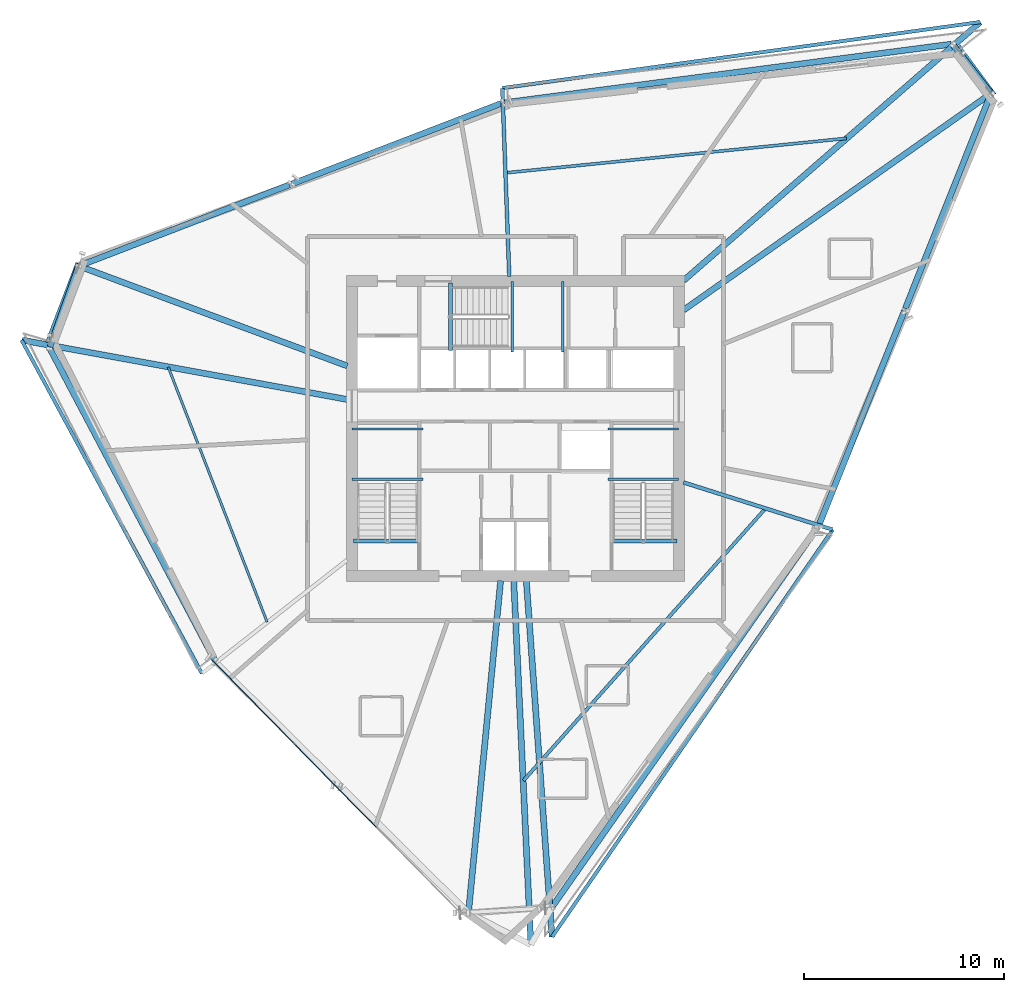
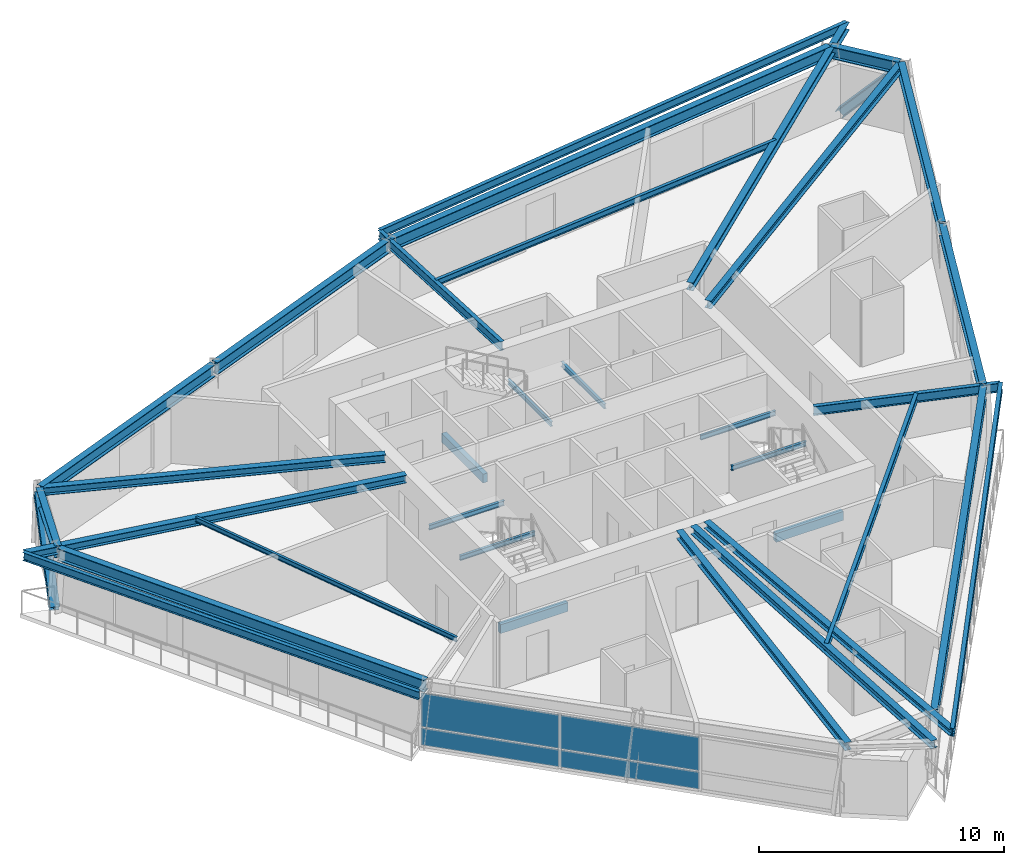
# One storey, part 4 of 14: 33 beams, 4 plates, 2 members, 1 element without a shape of its own.
"""IFC4 building model written with IfcOpenShell, lengths in metres."""

from ifc_helpers import new_model, si_unit, direction, frame, origin, origin_2d, place, context, subcontext, project, spatial, rectangle, i_section, extrude, source, transform, mapped, material, material_profile, profile_set, type_object, element, aggregate, save


model = new_model("IFC4")

# Units and contexts
model_context = context("Model", 3, precision=1e-05, world=origin(), true_north=direction((0.0, 1.0)))
body_context = subcontext(model_context, "Body", "Model", "MODEL_VIEW")
ifc_project = project(units=[si_unit("LENGTHUNIT", "METRE"), si_unit("AREAUNIT", "SQUARE_METRE"), si_unit("VOLUMEUNIT", "CUBIC_METRE"), si_unit("PLANEANGLEUNIT", "RADIAN"), si_unit("MASSUNIT", "GRAM", prefix="KILO")], contexts=[model_context])

# Site, building, storey
site_placement = place(None, origin())
site = spatial("IfcSite", under=ifc_project, at=site_placement, CompositionType="ELEMENT")
building_placement = place(site_placement, origin())
building = spatial("IfcBuilding", under=site, at=building_placement, Name="Olszyna Solenne Hotel", CompositionType="ELEMENT")
storey_placement = place(building_placement, frame((0.0, 0.0, 185.64990234375)))
storey = spatial("IfcBuildingStorey", under=building, at=storey_placement, Name="L49", CompositionType="ELEMENT", Elevation=185.64990234375)

# Beams
ifc_material_1 = material(Name="Steel S355J2", Category="steel")
ifc_material_profile_1 = material_profile(ifc_material_1, i_section(OverallWidth=0.300048828125, OverallDepth=0.60009765625, WebThickness=0.015380859375, FlangeThickness=0.030029296875, at=origin_2d()), Name="HEB 600", Category="load-bearing")
ifc_profile_set_1 = profile_set([ifc_material_profile_1], Name="Steel S355J2")
beam_type_1 = type_object("IfcBeamType", Name="BM-S2", PredefinedType="BEAM", material=ifc_profile_set_1)
shared_shape_1 = source(origin(), body_context, "Body", "SweptSolid", [
    extrude(i_section(OverallWidth=0.300048828125, OverallDepth=0.60009765625, WebThickness=0.015380859375, FlangeThickness=0.030029296875, at=origin_2d()), origin(), (0.0, 0.0, 1.0), 3.017578125),
])
beam_1_placement = place(storey_placement, frame((61.735107421875, 43.39306640625, 3.030029296875), z_axis=(-0.614987530307, 0.788536833361, 0.0), x_axis=(-0.788536833361, -0.614987530307, 0.0)))
element("IfcBeam", 1, at=beam_1_placement, inside=storey, type_object=beam_type_1, Name="Perimeter spandrel beam BM-S2 B-L49-1452", PredefinedType="BEAM", context=body_context, shape_type="MappedRepresentation", body=[
    mapped(shared_shape_1, transform((0.0, 0.0, 0.0), x_axis=(1.0, 0.0, 0.0), y_axis=(0.0, 1.0, 0.0), z_axis=(0.0, 0.0, 1.0), scale=1.0)),
])
shared_shape_2 = source(origin(), body_context, "Body", "SweptSolid", [
    extrude(i_section(OverallWidth=0.300048828125, OverallDepth=0.60009765625, WebThickness=0.015380859375, FlangeThickness=0.030029296875, at=origin_2d()), origin(), (0.0, 0.0, 1.0), 22.565185546875),
])
beam_2_placement = place(storey_placement, frame((59.782958984375, 45.81201171875, 3.030029296875), z_axis=(-0.991527495238, -0.129896982976, 0.0), x_axis=(0.129896982976, -0.991527495238, 0.0)))
element("IfcBeam", 2, at=beam_2_placement, inside=storey, type_object=beam_type_1, Name="Perimeter spandrel beam BM-S2 B-L49-1453", PredefinedType="BEAM", context=body_context, shape_type="MappedRepresentation", body=[
    mapped(shared_shape_2, transform((0.0, 0.0, 0.0), x_axis=(1.0, 0.0, 0.0), y_axis=(0.0, 1.0, 0.0), z_axis=(0.0, 0.0, 1.0), scale=1.0)),
])
shared_shape_3 = source(origin(), body_context, "Body", "SweptSolid", [
    extrude(i_section(OverallWidth=0.300048828125, OverallDepth=0.60009765625, WebThickness=0.015380859375, FlangeThickness=0.030029296875, at=origin_2d()), origin(), (0.0, 0.0, 1.0), 11.222900390625),
])
for number, where, z_axis, x_axis, name in (
    (3, (37.29345703125, 42.8515625, 3.030029296875), (-0.933310279528, -0.359070915178, 0.0), (0.359070915178, -0.933310279528, 0.0), "Perimeter spandrel beam BM-S2 B-L49-1454"),
    (4, (26.707275390625, 38.77880859375, 3.030029296875), (-0.933302989105, -0.359089864139, 0.0), (0.359089864139, -0.933302989105, 0.0), "Perimeter spandrel beam BM-S2 B-L49-1455"),
):
    element("IfcBeam", number, at=place(storey_placement, frame(where, z_axis=z_axis, x_axis=x_axis)), inside=storey, type_object=beam_type_1, Name=name, PredefinedType="BEAM", context=body_context, shape_type="MappedRepresentation", body=[
        mapped(shared_shape_3, transform((0.0, 0.0, 0.0), x_axis=(1.0, 0.0, 0.0), y_axis=(0.0, 1.0, 0.0), z_axis=(0.0, 0.0, 1.0), scale=1.0)),
    ])
shared_shape_4 = source(origin(), body_context, "Body", "SweptSolid", [
    extrude(i_section(OverallWidth=0.300048828125, OverallDepth=0.60009765625, WebThickness=0.015380859375, FlangeThickness=0.030029296875, at=origin_2d()), origin(), (0.0, 0.0, 1.0), 4.228759765625),
])
beam_3_placement = place(storey_placement, frame((16.156982421875, 34.6708984375, 3.030029296875), z_axis=(-0.335440177109, -0.942061509447, 0.0), x_axis=(0.942061509447, -0.335440177109, 0.0)))
element("IfcBeam", 5, at=beam_3_placement, inside=storey, type_object=beam_type_1, Name="Perimeter spandrel beam BM-S2 B-L49-1456", PredefinedType="BEAM", context=body_context, shape_type="MappedRepresentation", body=[
    mapped(shared_shape_4, transform((0.0, 0.0, 0.0), x_axis=(1.0, 0.0, 0.0), y_axis=(0.0, 1.0, 0.0), z_axis=(0.0, 0.0, 1.0), scale=1.0)),
])
shared_shape_5 = source(origin(), body_context, "Body", "SweptSolid", [
    extrude(i_section(OverallWidth=0.300048828125, OverallDepth=0.60009765625, WebThickness=0.015380859375, FlangeThickness=0.030029296875, at=origin_2d()), origin(), (0.0, 0.0, 1.0), 17.66162109375),
])
beam_4_placement = place(storey_placement, frame((14.74658203125, 30.57763671875, 3.030029296875), z_axis=(0.4675548851, -0.883964043058, 0.0), x_axis=(0.883964043058, 0.4675548851, 0.0)))
element("IfcBeam", 6, at=beam_4_placement, inside=storey, type_object=beam_type_1, Name="Perimeter spandrel beam BM-S2 B-L49-1457", PredefinedType="BEAM", context=body_context, shape_type="MappedRepresentation", body=[
    mapped(shared_shape_5, transform((0.0, 0.0, 0.0), x_axis=(1.0, 0.0, 0.0), y_axis=(0.0, 1.0, 0.0), z_axis=(0.0, 0.0, 1.0), scale=1.0)),
])
shared_shape_6 = source(origin(), body_context, "Body", "SweptSolid", [
    extrude(i_section(OverallWidth=0.300048828125, OverallDepth=0.60009765625, WebThickness=0.015380859375, FlangeThickness=0.030029296875, at=origin_2d()), origin(), (0.0, 0.0, 1.0), 23.134521484375),
])
beam_5_placement = place(storey_placement, frame((39.868408203125, 2.7373046875, 3.030029296875), z_axis=(0.573200967151, 0.819414822454, 0.0), x_axis=(-0.819414822454, 0.573200967151, 0.0)))
element("IfcBeam", 7, at=beam_5_placement, inside=storey, type_object=beam_type_1, Name="Perimeter spandrel beam BM-S2 B-L49-1461", PredefinedType="BEAM", context=body_context, shape_type="MappedRepresentation", body=[
    mapped(shared_shape_6, transform((0.0, 0.0, 0.0), x_axis=(1.0, 0.0, 0.0), y_axis=(0.0, 1.0, 0.0), z_axis=(0.0, 0.0, 1.0), scale=1.0)),
])
shared_shape_7 = source(origin(), body_context, "Body", "SweptSolid", [
    extrude(i_section(OverallWidth=0.300048828125, OverallDepth=0.60009765625, WebThickness=0.015380859375, FlangeThickness=0.030029296875, at=origin_2d()), origin(), (0.0, 0.0, 1.0), 11.50732421875),
])
beam_6_placement = place(storey_placement, frame((53.185791015625, 21.798828125, 3.030029296875), z_axis=(0.370175928315, 0.928961668798, 0.0), x_axis=(-0.928961668798, 0.370175928315, 0.0)))
element("IfcBeam", 8, at=beam_6_placement, inside=storey, type_object=beam_type_1, Name="Perimeter spandrel beam BM-S2 B-L49-1462", PredefinedType="BEAM", context=body_context, shape_type="MappedRepresentation", body=[
    mapped(shared_shape_7, transform((0.0, 0.0, 0.0), x_axis=(1.0, 0.0, 0.0), y_axis=(0.0, 1.0, 0.0), z_axis=(0.0, 0.0, 1.0), scale=1.0)),
])
shared_shape_8 = source(origin(), body_context, "Body", "SweptSolid", [
    extrude(i_section(OverallWidth=0.300048828125, OverallDepth=0.60009765625, WebThickness=0.015380859375, FlangeThickness=0.030029296875, at=origin_2d()), origin(), (0.0, 0.0, 1.0), 11.507568359375),
])
beam_7_placement = place(storey_placement, frame((57.489990234375, 32.60009765625, 3.030029296875), z_axis=(0.370194236824, 0.928954372949, 0.0), x_axis=(-0.928954372949, 0.370194236824, 0.0)))
element("IfcBeam", 9, at=beam_7_placement, inside=storey, type_object=beam_type_1, Name="Perimeter spandrel beam BM-S2 B-L49-1463", PredefinedType="BEAM", context=body_context, shape_type="MappedRepresentation", body=[
    mapped(shared_shape_8, transform((0.0, 0.0, 0.0), x_axis=(1.0, 0.0, 0.0), y_axis=(0.0, 1.0, 0.0), z_axis=(0.0, 0.0, 1.0), scale=1.0)),
])
ifc_material_profile_2 = material_profile(ifc_material_1, i_section(OverallWidth=0.300048828125, OverallDepth=0.389892578125, WebThickness=0.010986328125, FlangeThickness=0.01904296875, at=origin_2d()), Name="HEA 400", Category="load-bearing")
ifc_profile_set_2 = profile_set([ifc_material_profile_2], Name="Steel S355J2")
beam_type_2 = type_object("IfcBeamType", Name="BM-G2", PredefinedType="BEAM", material=ifc_profile_set_2)
shared_shape_9 = source(origin(), body_context, "Body", "SweptSolid", [
    extrude(i_section(OverallWidth=0.300048828125, OverallDepth=0.389892578125, WebThickness=0.010986328125, FlangeThickness=0.01904296875, at=origin_2d()), origin(), (0.0, 0.0, 1.0), 18.731689453125),
])
beam_8_placement = place(storey_placement, frame((61.722900390625, 43.31103515625, 3.135009765625), z_axis=(-0.817529152351, -0.57588721557, 0.0), x_axis=(0.57588721557, -0.817529152351, 0.0)))
element("IfcBeam", 10, at=beam_8_placement, inside=storey, type_object=beam_type_2, Name="Radial floor girder BM-G2 B-L49-1464", PredefinedType="BEAM", context=body_context, shape_type="MappedRepresentation", body=[
    mapped(shared_shape_9, transform((0.0, 0.0, 0.0), x_axis=(1.0, 0.0, 0.0), y_axis=(0.0, 1.0, 0.0), z_axis=(0.0, 0.0, 1.0), scale=1.0)),
])
shared_shape_10 = source(origin(), body_context, "Body", "SweptSolid", [
    extrude(i_section(OverallWidth=0.300048828125, OverallDepth=0.389892578125, WebThickness=0.010986328125, FlangeThickness=0.01904296875, at=origin_2d()), origin(), (0.0, 0.0, 1.0), 19.6474609375),
])
beam_9_placement = place(storey_placement, frame((61.2265625, 46.90869140625, 3.135009765625), z_axis=(-0.753986694315, -0.656889689975, 0.0), x_axis=(0.656889689975, -0.753986694315, 0.0)))
element("IfcBeam", 11, at=beam_9_placement, inside=storey, type_object=beam_type_2, Name="Radial floor girder BM-G2 B-L49-1465", PredefinedType="BEAM", context=body_context, shape_type="MappedRepresentation", body=[
    mapped(shared_shape_10, transform((0.0, 0.0, 0.0), x_axis=(1.0, 0.0, 0.0), y_axis=(0.0, 1.0, 0.0), z_axis=(0.0, 0.0, 1.0), scale=1.0)),
])
ifc_material_profile_3 = material_profile(ifc_material_1, i_section(OverallWidth=0.18994140625, OverallDepth=0.449951171875, WebThickness=0.009521484375, FlangeThickness=0.0146484375, at=origin_2d()), Name="IPE 450", Category="load-bearing")
ifc_profile_set_3 = profile_set([ifc_material_profile_3], Name="Steel S355J2")
beam_type_3 = type_object("IfcBeamType", Name="BM-F4", PredefinedType="BEAM", material=ifc_profile_set_3)
shared_shape_11 = source(origin(), body_context, "Body", "SweptSolid", [
    extrude(i_section(OverallWidth=0.18994140625, OverallDepth=0.449951171875, WebThickness=0.009521484375, FlangeThickness=0.0146484375, at=origin_2d()), origin(), (0.0, 0.0, 1.0), 9.406005859375),
])
beam_10_placement = place(storey_placement, frame((37.3505859375, 43.599609375, 3.10498046875), z_axis=(0.036727496035, -0.99932531792, 0.0), x_axis=(0.99932531792, 0.036727496035, 0.0)))
element("IfcBeam", 12, at=beam_10_placement, inside=storey, type_object=beam_type_3, Name="Radial floor girder BM-F4 B-L49-1466", PredefinedType="BEAM", context=body_context, shape_type="MappedRepresentation", body=[
    mapped(shared_shape_11, transform((0.0, 0.0, 0.0), x_axis=(1.0, 0.0, 0.0), y_axis=(0.0, 1.0, 0.0), z_axis=(0.0, 0.0, 1.0), scale=1.0)),
])
shared_shape_12 = source(origin(), body_context, "Body", "SweptSolid", [
    extrude(i_section(OverallWidth=0.300048828125, OverallDepth=0.389892578125, WebThickness=0.010986328125, FlangeThickness=0.01904296875, at=origin_2d()), origin(), (0.0, 0.0, 1.0), 14.260498046875),
])
beam_11_placement = place(storey_placement, frame((16.233154296875, 34.706298828125, 3.135009765625), z_axis=(0.937124607791, -0.348994941902, 0.0), x_axis=(0.348994941902, 0.937124607791, 0.0)))
element("IfcBeam", 13, at=beam_11_placement, inside=storey, type_object=beam_type_2, Name="Radial floor girder BM-G2 B-L49-1467", PredefinedType="BEAM", context=body_context, shape_type="MappedRepresentation", body=[
    mapped(shared_shape_12, transform((0.0, 0.0, 0.0), x_axis=(1.0, 0.0, 0.0), y_axis=(0.0, 1.0, 0.0), z_axis=(0.0, 0.0, 1.0), scale=1.0)),
])
shared_shape_13 = source(origin(), body_context, "Body", "SweptSolid", [
    extrude(i_section(OverallWidth=0.300048828125, OverallDepth=0.389892578125, WebThickness=0.010986328125, FlangeThickness=0.01904296875, at=origin_2d()), origin(), (0.0, 0.0, 1.0), 16.527099609375),
])
beam_12_placement = place(storey_placement, frame((13.340087890625, 31.018310546875, 3.135009765625), z_axis=(0.983788503153, -0.179332599001, 0.0), x_axis=(0.179332599001, 0.983788503153, 0.0)))
element("IfcBeam", 14, at=beam_12_placement, inside=storey, type_object=beam_type_2, Name="Radial floor girder BM-G2 B-L49-1468", PredefinedType="BEAM", context=body_context, shape_type="MappedRepresentation", body=[
    mapped(shared_shape_13, transform((0.0, 0.0, 0.0), x_axis=(1.0, 0.0, 0.0), y_axis=(0.0, 1.0, 0.0), z_axis=(0.0, 0.0, 1.0), scale=1.0)),
])
shared_shape_14 = source(origin(), body_context, "Body", "SweptSolid", [
    extrude(i_section(OverallWidth=0.300048828125, OverallDepth=0.389892578125, WebThickness=0.010986328125, FlangeThickness=0.01904296875, at=origin_2d()), origin(), (0.0, 0.0, 1.0), 16.62890625),
])
beam_13_placement = place(storey_placement, frame((35.66162109375, 2.4482421875, 3.135009765625), z_axis=(0.096370646428, 0.995345517148, 0.0), x_axis=(-0.995345517148, 0.096370646428, 0.0)))
element("IfcBeam", 15, at=beam_13_placement, inside=storey, type_object=beam_type_2, Name="Radial floor girder BM-G2 B-L49-1470", PredefinedType="BEAM", context=body_context, shape_type="MappedRepresentation", body=[
    mapped(shared_shape_14, transform((0.0, 0.0, 0.0), x_axis=(1.0, 0.0, 0.0), y_axis=(0.0, 1.0, 0.0), z_axis=(0.0, 0.0, 1.0), scale=1.0)),
])
shared_shape_15 = source(origin(), body_context, "Body", "SweptSolid", [
    extrude(i_section(OverallWidth=0.300048828125, OverallDepth=0.389892578125, WebThickness=0.010986328125, FlangeThickness=0.01904296875, at=origin_2d()), origin(), (0.0, 0.0, 1.0), 18.2001953125),
])
beam_14_placement = place(storey_placement, frame((38.77587890625, 0.820068359375, 3.135009765625), z_axis=(-0.047057192319, 0.998892196711, 0.0), x_axis=(-0.998892196711, -0.047057192319, 0.0)))
element("IfcBeam", 16, at=beam_14_placement, inside=storey, type_object=beam_type_2, Name="Radial floor girder BM-G2 B-L49-1471", PredefinedType="BEAM", context=body_context, shape_type="MappedRepresentation", body=[
    mapped(shared_shape_15, transform((0.0, 0.0, 0.0), x_axis=(1.0, 0.0, 0.0), y_axis=(0.0, 1.0, 0.0), z_axis=(0.0, 0.0, 1.0), scale=1.0)),
])
shared_shape_16 = source(origin(), body_context, "Body", "SweptSolid", [
    extrude(i_section(OverallWidth=0.18994140625, OverallDepth=0.449951171875, WebThickness=0.009521484375, FlangeThickness=0.0146484375, at=origin_2d()), origin(), (0.0, 0.0, 1.0), 7.804931640625),
])
beam_15_placement = place(storey_placement, frame((53.843505859375, 21.5537109375, 3.10498046875), z_axis=(-0.953393376844, 0.301730126088, 0.0), x_axis=(-0.301730126088, -0.953393376844, 0.0)))
element("IfcBeam", 17, at=beam_15_placement, inside=storey, type_object=beam_type_3, Name="Radial floor girder BM-F4 B-L49-1472", PredefinedType="BEAM", context=body_context, shape_type="MappedRepresentation", body=[
    mapped(shared_shape_16, transform((0.0, 0.0, 0.0), x_axis=(1.0, 0.0, 0.0), y_axis=(0.0, 1.0, 0.0), z_axis=(0.0, 0.0, 1.0), scale=1.0)),
])
ifc_material_profile_4 = material_profile(ifc_material_1, i_section(OverallWidth=0.300048828125, OverallDepth=0.31005859375, WebThickness=0.009033203125, FlangeThickness=0.015380859375, at=origin_2d()), Name="HEA 320", Category="load-bearing")
ifc_profile_set_4 = profile_set([ifc_material_profile_4], Name="Steel S355J2")
beam_type_4 = type_object("IfcBeamType", Name="BM-G3", PredefinedType="BEAM", material=ifc_profile_set_4)
shared_shape_17 = source(origin(), body_context, "Body", "SweptSolid", [
    extrude(i_section(OverallWidth=0.300048828125, OverallDepth=0.31005859375, WebThickness=0.009033203125, FlangeThickness=0.015380859375, at=origin_2d()), origin(), (0.0, 0.0, 1.0), 17.8515625),
])
beam_16_placement = place(storey_placement, frame((39.8330078125, 1.19482421875, 3.175048828125), z_axis=(-0.071964304529, 0.997407208152, 0.0), x_axis=(-0.997407208152, -0.071964304529, 0.0)))
element("IfcBeam", 18, at=beam_16_placement, inside=storey, type_object=beam_type_4, Name="Loggia/prism radial back-span girder BM-G3 B-L49-1475", PredefinedType="BEAM", context=body_context, shape_type="MappedRepresentation", body=[
    mapped(shared_shape_17, transform((0.0, 0.0, 0.0), x_axis=(1.0, 0.0, 0.0), y_axis=(0.0, 1.0, 0.0), z_axis=(0.0, 0.0, 1.0), scale=1.0)),
])
ifc_material_profile_5 = material_profile(ifc_material_1, i_section(OverallWidth=0.14990234375, OverallDepth=0.300048828125, WebThickness=0.007080078125, FlangeThickness=0.0107421875, at=origin_2d()), Name="IPE 300", Category="load-bearing")
ifc_profile_set_5 = profile_set([ifc_material_profile_5], Name="Steel S355J2")
beam_type_5 = type_object("IfcBeamType", Name="JS-02", PredefinedType="JOIST", material=ifc_profile_set_5)
shared_shape_18 = source(origin(), body_context, "Body", "SweptSolid", [
    extrude(i_section(OverallWidth=0.14990234375, OverallDepth=0.300048828125, WebThickness=0.007080078125, FlangeThickness=0.0107421875, at=origin_2d()), origin(), (0.0, 0.0, 1.0), 17.10986328125),
])
beam_17_placement = place(storey_placement, frame((54.548583984375, 41.10595703125, 3.18017578125), z_axis=(-0.994915808547, -0.100710147961, 0.0), x_axis=(0.100710147961, -0.994915808547, 0.0)))
element("IfcBeam", 19, at=beam_17_placement, inside=storey, type_object=beam_type_5, Name="Secondary composite floor joist JS-02 B-L49-1476", PredefinedType="JOIST", context=body_context, shape_type="MappedRepresentation", body=[
    mapped(shared_shape_18, transform((0.0, 0.0, 0.0), x_axis=(1.0, 0.0, 0.0), y_axis=(0.0, 1.0, 0.0), z_axis=(0.0, 0.0, 1.0), scale=1.0)),
])
ifc_material_profile_6 = material_profile(ifc_material_1, i_section(OverallWidth=0.1201171875, OverallDepth=0.239990234375, WebThickness=0.006103515625, FlangeThickness=0.009765625, at=origin_2d()), Name="IPE 240", Category="load-bearing")
ifc_profile_set_6 = profile_set([ifc_material_profile_6], Name="Steel S355J2")
beam_type_6 = type_object("IfcBeamType", Name="JS-03", PredefinedType="JOIST", material=ifc_profile_set_6)
shared_shape_19 = source(origin(), body_context, "Body", "SweptSolid", [
    extrude(i_section(OverallWidth=0.1201171875, OverallDepth=0.239990234375, WebThickness=0.006103515625, FlangeThickness=0.009765625, at=origin_2d()), origin(), (0.0, 0.0, 1.0), 13.659912109375),
])
beam_18_placement = place(storey_placement, frame((20.653076171875, 29.66796875, 3.210205078125), z_axis=(0.361512000628, -0.932367456211, 0.0), x_axis=(0.932367456211, 0.361512000628, 0.0)))
element("IfcBeam", 20, at=beam_18_placement, inside=storey, type_object=beam_type_6, Name="Secondary composite floor joist JS-03 B-L49-1477", PredefinedType="JOIST", context=body_context, shape_type="MappedRepresentation", body=[
    mapped(shared_shape_19, transform((0.0, 0.0, 0.0), x_axis=(1.0, 0.0, 0.0), y_axis=(0.0, 1.0, 0.0), z_axis=(0.0, 0.0, 1.0), scale=1.0)),
])
ifc_material_profile_7 = material_profile(ifc_material_1, i_section(OverallWidth=0.169921875, OverallDepth=0.360107421875, WebThickness=0.008056640625, FlangeThickness=0.0126953125, at=origin_2d()), Name="IPE 360", Category="load-bearing")
ifc_profile_set_7 = profile_set([ifc_material_profile_7], Name="Steel S355J2")
beam_type_7 = type_object("IfcBeamType", Name="JS-01", PredefinedType="JOIST", material=ifc_profile_set_7)
shared_shape_20 = source(origin(), body_context, "Body", "SweptSolid", [
    extrude(i_section(OverallWidth=0.169921875, OverallDepth=0.360107421875, WebThickness=0.008056640625, FlangeThickness=0.0126953125, at=origin_2d()), origin(), (0.0, 0.0, 1.0), 18.188232421875),
])
beam_19_placement = place(storey_placement, frame((38.404296875, 9.0048828125, 3.150146484375), z_axis=(0.664597088079, 0.747201920847, 0.0), x_axis=(-0.747201920847, 0.664597088079, 0.0)))
element("IfcBeam", 21, at=beam_19_placement, inside=storey, type_object=beam_type_7, Name="Secondary composite floor joist JS-01 B-L49-1478", PredefinedType="JOIST", context=body_context, shape_type="MappedRepresentation", body=[
    mapped(shared_shape_20, transform((0.0, 0.0, 0.0), x_axis=(1.0, 0.0, 0.0), y_axis=(0.0, 1.0, 0.0), z_axis=(0.0, 0.0, 1.0), scale=1.0)),
])
ifc_material_profile_8 = material_profile(ifc_material_1, i_section(OverallWidth=0.179931640625, OverallDepth=0.39990234375, WebThickness=0.008544921875, FlangeThickness=0.013427734375, at=origin_2d()), Name="IPE 400", Category="load-bearing")
ifc_profile_set_8 = profile_set([ifc_material_profile_8], Name="Steel S355J2")
beam_type_8 = type_object("IfcBeamType", Name="BM-F5", PredefinedType="BEAM", material=ifc_profile_set_8)
shared_shape_21 = source(origin(), body_context, "Body", "SweptSolid", [
    extrude(i_section(OverallWidth=0.179931640625, OverallDepth=0.39990234375, WebThickness=0.008544921875, FlangeThickness=0.013427734375, at=origin_2d()), origin(), (0.0, 0.0, 1.0), 24.118896484375),
])
beam_20_placement = place(storey_placement, frame((61.24169921875, 46.921630859375, 3.130126953125), z_axis=(-0.990584194347, -0.136904908273, 0.0), x_axis=(0.136904908273, -0.990584194347, 0.0)))
element("IfcBeam", 22, at=beam_20_placement, inside=storey, type_object=beam_type_8, Name="Loggia outer edge beam BM-F5 B-L49-1479", PredefinedType="BEAM", context=body_context, shape_type="MappedRepresentation", body=[
    mapped(shared_shape_21, transform((0.0, 0.0, 0.0), x_axis=(1.0, 0.0, 0.0), y_axis=(0.0, 1.0, 0.0), z_axis=(0.0, 0.0, 1.0), scale=1.0)),
])
shared_shape_22 = source(origin(), body_context, "Body", "SweptSolid", [
    extrude(i_section(OverallWidth=0.179931640625, OverallDepth=0.39990234375, WebThickness=0.008544921875, FlangeThickness=0.013427734375, at=origin_2d()), origin(), (0.0, 0.0, 1.0), 18.942138671875),
])
beam_21_placement = place(storey_placement, frame((13.3203125, 31.02197265625, 3.130126953125), z_axis=(0.47580060558, -0.87955317277, 0.0), x_axis=(0.87955317277, 0.47580060558, 0.0)))
element("IfcBeam", 23, at=beam_21_placement, inside=storey, type_object=beam_type_8, Name="Loggia outer edge beam BM-F5 B-L49-1480", PredefinedType="BEAM", context=body_context, shape_type="MappedRepresentation", body=[
    mapped(shared_shape_22, transform((0.0, 0.0, 0.0), x_axis=(1.0, 0.0, 0.0), y_axis=(0.0, 1.0, 0.0), z_axis=(0.0, 0.0, 1.0), scale=1.0)),
])
shared_shape_23 = source(origin(), body_context, "Body", "SweptSolid", [
    extrude(i_section(OverallWidth=0.179931640625, OverallDepth=0.39990234375, WebThickness=0.008544921875, FlangeThickness=0.013427734375, at=origin_2d()), origin(), (0.0, 0.0, 1.0), 24.7197265625),
])
beam_22_placement = place(storey_placement, frame((39.8330078125, 1.19482421875, 3.130126953125), z_axis=(0.567544844534, 0.823342486115, 0.0), x_axis=(-0.823342486115, 0.567544844534, 0.0)))
element("IfcBeam", 24, at=beam_22_placement, inside=storey, type_object=beam_type_8, Name="Loggia outer edge beam BM-F5 B-L49-1481", PredefinedType="BEAM", context=body_context, shape_type="MappedRepresentation", body=[
    mapped(shared_shape_23, transform((0.0, 0.0, 0.0), x_axis=(1.0, 0.0, 0.0), y_axis=(0.0, 1.0, 0.0), z_axis=(0.0, 0.0, 1.0), scale=1.0)),
])

# Members
ifc_material_2 = material(Name="Steel S460M", Category="steel")
ifc_material_profile_9 = material_profile(ifc_material_2, i_section(OverallWidth=0.406005859375, OverallDepth=0.416015625, WebThickness=0.026611328125, FlangeThickness=0.04150390625, at=origin_2d()), Name="HD 400x382", Category="load-bearing")
ifc_profile_set_9 = profile_set([ifc_material_profile_9], Name="Steel S460M")
member_type = type_object("IfcMemberType", Name="BR-T2", PredefinedType="BRACE", material=ifc_profile_set_9)
shared_shape_24 = source(origin(), body_context, "Body", "SweptSolid", [
    extrude(i_section(OverallWidth=0.406005859375, OverallDepth=0.416015625, WebThickness=0.026611328125, FlangeThickness=0.04150390625, at=origin_2d()), origin(), (0.0, 0.0, 1.0), 4.029296875),
])
member_1_placement = place(storey_placement, frame((60.165283203125, 45.5166015625, 0.010009765625), z_axis=(0.398814326452, -0.538781068187, 0.742066097851), x_axis=(0.803758906195, 0.594955141765, 0.0)))
element("IfcMember", 25, at=member_1_placement, inside=storey, type_object=member_type, Name="Perimeter braced-tube diagonal BR-T2 BR-L49-1", PredefinedType="BRACE", context=body_context, shape_type="MappedRepresentation", body=[
    mapped(shared_shape_24, transform((0.0, 0.0, 0.0), x_axis=(1.0, 0.0, 0.0), y_axis=(0.0, 1.0, 0.0), z_axis=(0.0, 0.0, 1.0), scale=1.0)),
])
shared_shape_25 = source(origin(), body_context, "Body", "SweptSolid", [
    extrude(i_section(OverallWidth=0.406005859375, OverallDepth=0.416015625, WebThickness=0.026611328125, FlangeThickness=0.04150390625, at=origin_2d()), origin(), (0.0, 0.0, 1.0), 5.00537109375),
])
member_2_placement = place(storey_placement, frame((14.743896484375, 30.9775390625, 0.010009765625), z_axis=(0.286309175828, 0.749135030927, 0.59734727025), x_axis=(-0.934103738314, 0.357001689166, 0.0)))
element("IfcMember", 26, at=member_2_placement, inside=storey, type_object=member_type, Name="Perimeter braced-tube diagonal BR-T2 BR-L49-2", PredefinedType="BRACE", context=body_context, shape_type="MappedRepresentation", body=[
    mapped(shared_shape_25, transform((0.0, 0.0, 0.0), x_axis=(1.0, 0.0, 0.0), y_axis=(0.0, 1.0, 0.0), z_axis=(0.0, 0.0, 1.0), scale=1.0)),
])

# Beams
shared_shape_26 = source(origin(), body_context, "Body", "SweptSolid", [
    extrude(i_section(OverallWidth=0.1201171875, OverallDepth=0.239990234375, WebThickness=0.006103515625, FlangeThickness=0.009765625, at=origin_2d()), origin(), (0.0, 0.0, 1.0), 3.539794921875),
])
for number, where, z_axis, x_axis, name in (
    (27, (33.3798828125, 24.070068359375, 1.4501953125), (-1.0, 0.0, 0.0), (0.0, -1.0, 0.0), "Stair landing support beam JS-03 SLB-ST1-0103"),
    (28, (33.3798828125, 26.580078125, 1.4501953125), (-1.0, 0.0, 0.0), (0.0, -1.0, 0.0), "Stair landing support beam JS-03 SLB-ST1-0104"),
    (29, (46.159912109375, 24.070068359375, 1.4501953125), (-1.0, 0.0, 0.0), (0.0, -1.0, 0.0), "Stair landing support beam JS-03 SLB-ST2-0343"),
    (30, (46.159912109375, 26.580078125, 1.4501953125), (-1.0, 0.0, 0.0), (0.0, -1.0, 0.0), "Stair landing support beam JS-03 SLB-ST2-0344"),
):
    element("IfcBeam", number, at=place(storey_placement, frame(where, z_axis=z_axis, x_axis=x_axis)), inside=storey, type_object=beam_type_6, Name=name, PredefinedType="JOIST", context=body_context, shape_type="MappedRepresentation", body=[
        mapped(shared_shape_26, transform((0.0, 0.0, 0.0), x_axis=(1.0, 0.0, 0.0), y_axis=(0.0, 1.0, 0.0), z_axis=(0.0, 0.0, 1.0), scale=1.0)),
    ])
ifc_material_3 = material(Name="Concrete C50/60", Category="concrete")
ifc_material_profile_10 = material_profile(ifc_material_3, rectangle(XDim=0.219970703125, YDim=0.43994140625, at=origin_2d()), Name="RC 220x440", Category="load-bearing")
ifc_profile_set_10 = profile_set([ifc_material_profile_10], Name="Concrete C50/60")
beam_type_9 = type_object("IfcBeamType", Name="BM-ST1", PredefinedType="BEAM", material=ifc_profile_set_10)
shared_shape_27 = source(origin(), body_context, "Body", "SweptSolid", [
    extrude(rectangle(XDim=0.219970703125, YDim=0.43994140625, at=origin_2d()), origin(), (0.0, 0.0, 1.0), 3.18017578125),
])
for number, where, z_axis, x_axis, name in (
    (31, (33.10009765625, 20.97998046875, -0.204833984375), (-1.0, 0.0, 0.0), (0.0, -1.0, 0.0), "Concrete stair trimmer beam BM-ST1 SHB-ST1-0211"),
    (32, (46.080078125, 20.97998046875, -0.204833984375), (-1.0, 0.0, 0.0), (0.0, -1.0, 0.0), "Concrete stair trimmer beam BM-ST1 SHB-ST2-0451"),
):
    element("IfcBeam", number, at=place(storey_placement, frame(where, z_axis=z_axis, x_axis=x_axis)), inside=storey, type_object=beam_type_9, Name=name, PredefinedType="BEAM", context=body_context, shape_type="MappedRepresentation", body=[
        mapped(shared_shape_27, transform((0.0, 0.0, 0.0), x_axis=(1.0, 0.0, 0.0), y_axis=(0.0, 1.0, 0.0), z_axis=(0.0, 0.0, 1.0), scale=1.0)),
    ])
shared_shape_28 = source(origin(), body_context, "Body", "SweptSolid", [
    extrude(i_section(OverallWidth=0.1201171875, OverallDepth=0.239990234375, WebThickness=0.006103515625, FlangeThickness=0.009765625, at=origin_2d()), origin(), (0.0, 0.0, 1.0), 3.5400390625),
])
for number, where, z_axis, x_axis, name in (
    (33, (37.85009765625, 30.419921875, 1.4501953125), (0.0, 1.0, 0.0), (-1.0, 0.0, 0.0), "Stair landing support beam JS-03 SLB-ST3-0583"),
    (34, (40.360107421875, 30.419921875, 1.4501953125), (0.0, 1.0, 0.0), (-1.0, 0.0, 0.0), "Stair landing support beam JS-03 SLB-ST3-0584"),
):
    element("IfcBeam", number, at=place(storey_placement, frame(where, z_axis=z_axis, x_axis=x_axis)), inside=storey, type_object=beam_type_6, Name=name, PredefinedType="JOIST", context=body_context, shape_type="MappedRepresentation", body=[
        mapped(shared_shape_28, transform((0.0, 0.0, 0.0), x_axis=(1.0, 0.0, 0.0), y_axis=(0.0, 1.0, 0.0), z_axis=(0.0, 0.0, 1.0), scale=1.0)),
    ])
shared_shape_29 = source(origin(), body_context, "Body", "SweptSolid", [
    extrude(rectangle(XDim=0.219970703125, YDim=0.43994140625, at=origin_2d()), origin(), (0.0, 0.0, 1.0), 3.3798828125),
])
beam_23_placement = place(storey_placement, frame((34.760009765625, 30.5, -0.204833984375), z_axis=(0.0, 1.0, 0.0), x_axis=(-1.0, 0.0, 0.0)))
element("IfcBeam", 35, at=beam_23_placement, inside=storey, type_object=beam_type_9, Name="Concrete stair trimmer beam BM-ST1 SHB-ST3-0689", PredefinedType="BEAM", context=body_context, shape_type="MappedRepresentation", body=[
    mapped(shared_shape_29, transform((0.0, 0.0, 0.0), x_axis=(1.0, 0.0, 0.0), y_axis=(0.0, 1.0, 0.0), z_axis=(0.0, 0.0, 1.0), scale=1.0)),
])

# Curtain wall, plates
ifc_material_4 = material(Name="Anodised bronze aluminium", Category="aluminium")
curtain_wall_type = type_object("IfcCurtainWallType", Name="CW-SYS-4", PredefinedType="NOTDEFINED", material=ifc_material_4)
curtain_wall_placement = place(storey_placement, origin())
curtain_wall = element("IfcCurtainWall", 36, at=curtain_wall_placement, inside=storey, type_object=curtain_wall_type, Name="Unitised curtain wall CW-SYS-4 CW-L49-01", PredefinedType="NOTDEFINED")
ifc_material_5 = material(Name="Terracotta cladding", Category="masonry")
plate_type_1 = type_object("IfcPlateType", Name="PN-SP1", PredefinedType="CURTAIN_PANEL", material=ifc_material_5)
shared_shape_30 = source(origin(), body_context, "Body", "SweptSolid", [
    extrude(rectangle(XDim=5.835693359375, YDim=0.035888671875, at=origin_2d()), origin(), (0.0, 0.0, 1.0), 0.8525390625),
])
plate_1_placement = place(storey_placement, frame((24.864990234375, 12.964599609375, 0.065185546875), z_axis=(0.0, 0.0, 1.0), x_axis=(0.700687281961, -0.71346852271, 0.0)))
plate_1 = element("IfcPlate", 37, at=plate_1_placement, type_object=plate_type_1, Name="Curtain-wall panel PN-SP1 CP-L49-01-01", PredefinedType="CURTAIN_PANEL", context=body_context, shape_type="MappedRepresentation", body=[
    mapped(shared_shape_30, transform((0.0, 0.0, 0.0), x_axis=(1.0, 0.0, 0.0), y_axis=(0.0, 1.0, 0.0), z_axis=(0.0, 0.0, 1.0), scale=1.0)),
])
ifc_material_6 = material(Name="Low-E triple glazing", Category="glass")
plate_type_2 = type_object("IfcPlateType", Name="PN-GL1", PredefinedType="CURTAIN_PANEL", material=ifc_material_6)
shared_shape_31 = source(origin(), body_context, "Body", "SweptSolid", [
    extrude(rectangle(XDim=5.835693359375, YDim=0.035888671875, at=origin_2d()), origin(), (0.0, 0.0, 1.0), 1.674560546875),
])
plate_2_placement = place(storey_placement, frame((24.864990234375, 12.964599609375, 0.982421875), z_axis=(0.0, 0.0, 1.0), x_axis=(0.700687281961, -0.71346852271, 0.0)))
plate_2 = element("IfcPlate", 38, at=plate_2_placement, type_object=plate_type_2, Name="Curtain-wall panel PN-GL1 CP-L49-01-02", PredefinedType="CURTAIN_PANEL", context=body_context, shape_type="MappedRepresentation", body=[
    mapped(shared_shape_31, transform((0.0, 0.0, 0.0), x_axis=(1.0, 0.0, 0.0), y_axis=(0.0, 1.0, 0.0), z_axis=(0.0, 0.0, 1.0), scale=1.0)),
])
shared_shape_32 = source(origin(), body_context, "Body", "SweptSolid", [
    extrude(rectangle(XDim=5.8681640625, YDim=0.035888671875, at=origin_2d()), origin(), (0.0, 0.0, 1.0), 0.8525390625),
])
plate_3_placement = place(storey_placement, frame((29.010986328125, 8.7431640625, 0.065185546875), z_axis=(0.0, 0.0, 1.0), x_axis=(0.700687281961, -0.71346852271, 0.0)))
plate_3 = element("IfcPlate", 39, at=plate_3_placement, type_object=plate_type_1, Name="Curtain-wall panel PN-SP1 CP-L49-01-03", PredefinedType="CURTAIN_PANEL", context=body_context, shape_type="MappedRepresentation", body=[
    mapped(shared_shape_32, transform((0.0, 0.0, 0.0), x_axis=(1.0, 0.0, 0.0), y_axis=(0.0, 1.0, 0.0), z_axis=(0.0, 0.0, 1.0), scale=1.0)),
])
shared_shape_33 = source(origin(), body_context, "Body", "SweptSolid", [
    extrude(rectangle(XDim=5.8681640625, YDim=0.035888671875, at=origin_2d()), origin(), (0.0, 0.0, 1.0), 1.674560546875),
])
plate_4_placement = place(storey_placement, frame((29.010986328125, 8.7431640625, 0.982421875), z_axis=(0.0, 0.0, 1.0), x_axis=(0.700687281961, -0.71346852271, 0.0)))
plate_4 = element("IfcPlate", 40, at=plate_4_placement, type_object=plate_type_2, Name="Curtain-wall panel PN-GL1 CP-L49-01-04", PredefinedType="CURTAIN_PANEL", context=body_context, shape_type="MappedRepresentation", body=[
    mapped(shared_shape_33, transform((0.0, 0.0, 0.0), x_axis=(1.0, 0.0, 0.0), y_axis=(0.0, 1.0, 0.0), z_axis=(0.0, 0.0, 1.0), scale=1.0)),
])
aggregate(curtain_wall, [plate_1, plate_2, plate_3, plate_4])

save(model, "model.ifc")
